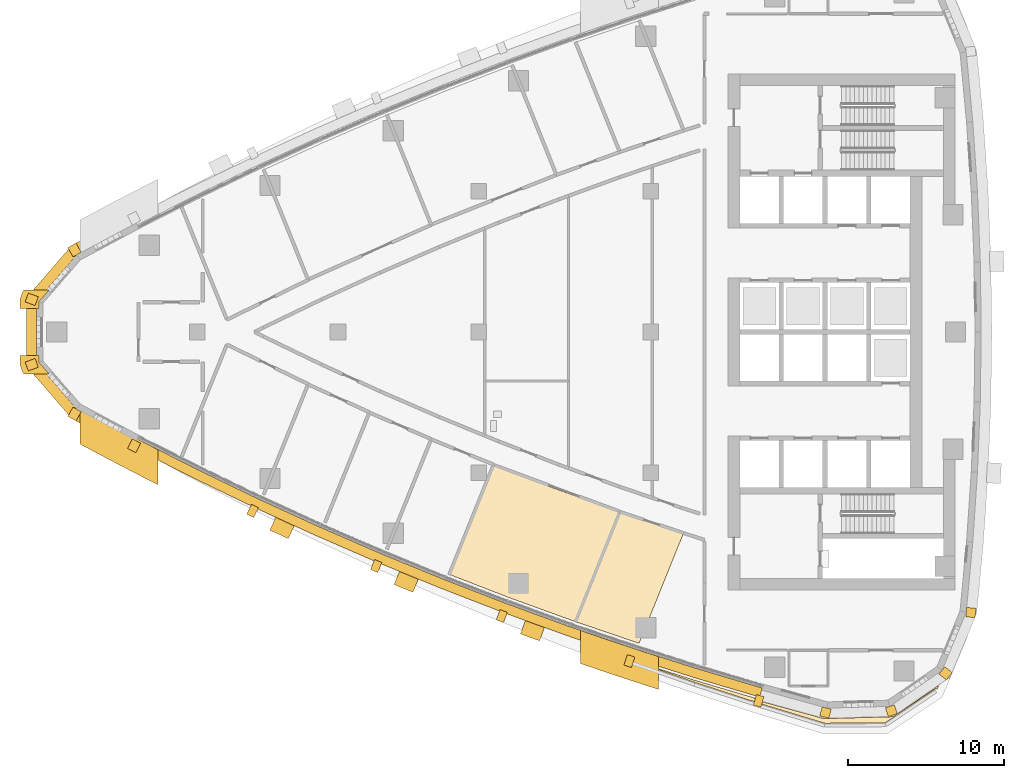
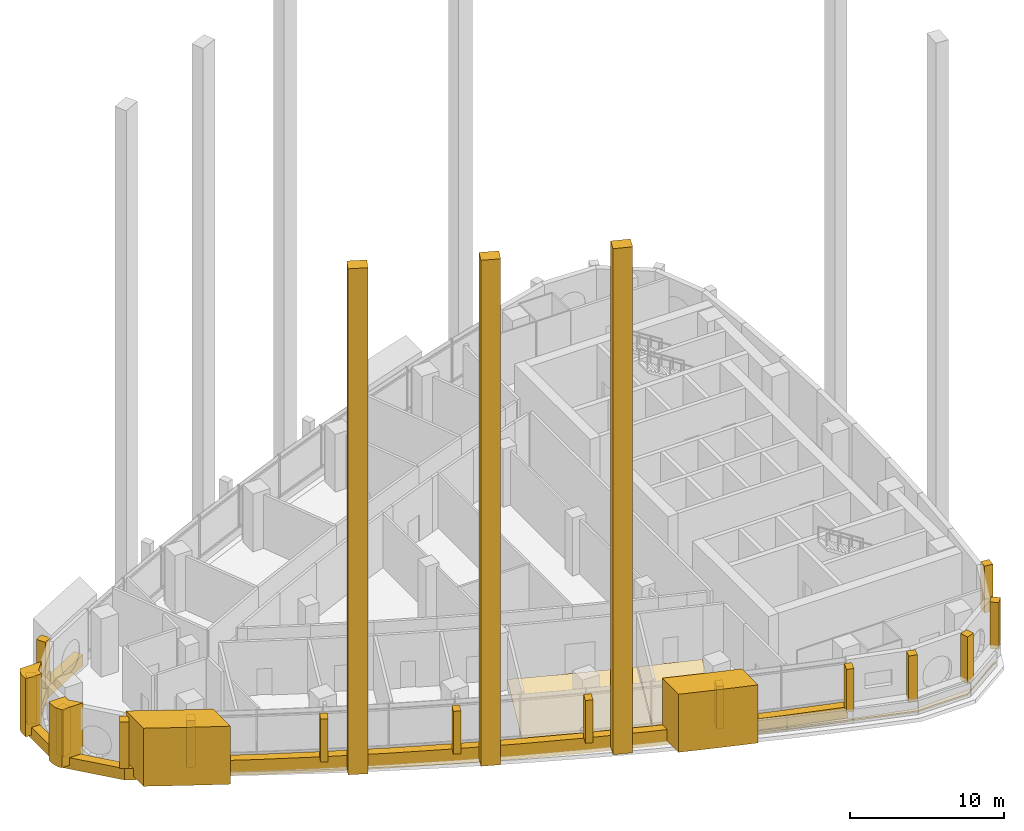
# One storey, part 13 of 19: 26 coverings.
"""IFC4 building model written with IfcOpenShell, lengths in metres."""

from ifc_helpers import new_model, si_unit, direction, frame, frame_2d, origin, place, context, subcontext, project, spatial, polyline, rectangle, outline, extrude, material, layer, layer_set, type_object, element, save


model = new_model("IFC4")

# Units and contexts
model_context = context("Model", 3, precision=1e-05, world=origin(), true_north=direction((0.0, 1.0)))
body_context = subcontext(model_context, "Body", "Model", "MODEL_VIEW")
ifc_project = project(units=[si_unit("LENGTHUNIT", "METRE"), si_unit("AREAUNIT", "SQUARE_METRE"), si_unit("VOLUMEUNIT", "CUBIC_METRE"), si_unit("PLANEANGLEUNIT", "RADIAN"), si_unit("MASSUNIT", "GRAM", prefix="KILO")], contexts=[model_context])

# Site, building, storey
site_placement = place(None, origin())
site = spatial("IfcSite", under=ifc_project, at=site_placement, CompositionType="ELEMENT")
building_placement = place(site_placement, origin())
building = spatial("IfcBuilding", under=site, at=building_placement, Name="Ostrand Prow Hotel Tower", CompositionType="ELEMENT")
storey_placement = place(building_placement, frame((0.0, 0.0, 170.89990234375)))
storey = spatial("IfcBuildingStorey", under=building, at=storey_placement, Name="L42", CompositionType="ELEMENT", Elevation=170.89990234375)

# Coverings
ifc_material_1 = material(Name="Bronze anodised aluminium cladding", Category="aluminium")
ifc_layer_1 = layer(ifc_material_1, 0.60009765625)
ifc_layer_set_1 = layer_set([ifc_layer_1], Name="Bronze anodised aluminium cladding")
covering_type_1 = type_object("IfcCoveringType", Name="Bronze prow band 899x600", PredefinedType="CLADDING", material=ifc_layer_set_1)
covering_1_placement = place(storey_placement, frame((0.0, 0.0, -0.2998046875)))
element("IfcCovering", 1, at=covering_1_placement, inside=storey, type_object=covering_type_1, Name="Bronze prow band", PredefinedType="CLADDING", context=body_context, shape_type="SweptSolid", body=[
    extrude(outline(polyline([(11.8037109375, 7.58154296875), (7.9873046875, 5.546630859375), (5.09521484375, 2.20849609375), (5.09521484375, -2.20849609375), (7.9873046875, -5.546630859375), (11.8037109375, -7.58154296875), (12.117431640625, -6.978515625), (8.3134765625, -4.949951171875), (5.732421875, -1.970703125), (5.732421875, 1.970703125), (8.3134765625, 4.949951171875), (12.117431640625, 6.978515625), (11.8037109375, 7.58154296875)])), origin(), (0.0, 0.0, 1.0), 0.89990234375),
])
ifc_material_2 = material(Name="Bronze anodised aluminium cladding", Category="aluminium")
ifc_layer_2 = layer(ifc_material_2, 0.60009765625)
ifc_layer_set_2 = layer_set([ifc_layer_2], Name="Bronze anodised aluminium cladding")
covering_type_2 = type_object("IfcCoveringType", Name="Bronze spandrel band 1200x600", PredefinedType="CLADDING", material=ifc_layer_set_2)
covering_2_placement = place(storey_placement, frame((0.0, 0.0, -0.2998046875)))
element("IfcCovering", 2, at=covering_2_placement, inside=storey, type_object=covering_type_2, Name="Spandrel band S1", PredefinedType="CLADDING", context=body_context, shape_type="SweptSolid", body=[
    extrude(outline(polyline([(11.9052734375, -7.38623046875), (15.757568359375, -9.341796875), (19.648681640625, -11.219482421875), (23.57666015625, -13.0185546875), (27.5400390625, -14.738037109375), (31.537353515625, -16.37744140625), (35.566650390625, -17.93603515625), (39.626708984375, -19.4130859375), (43.7158203125, -20.80810546875), (47.831787109375, -22.12060546875), (51.9736328125, -23.35009765625), (52.138427734375, -22.773193359375), (48.00830078125, -21.547119140625), (43.90380859375, -20.23828125), (39.826171875, -18.84716796875), (35.777587890625, -17.374267578125), (31.759521484375, -15.820068359375), (27.773193359375, -14.185302734375), (23.821044921875, -12.470458984375), (19.90380859375, -10.676513671875), (16.023681640625, -8.80419921875), (12.18212890625, -6.85400390625), (11.9052734375, -7.38623046875)])), origin(), (0.0, 0.0, 1.0), 1.199951171875),
])
ifc_material_3 = material(Name="Limestone cladding", Category="masonry")
ifc_layer_3 = layer(ifc_material_3, 5.0)
ifc_layer_set_3 = layer_set([ifc_layer_3], Name="Limestone cladding")
covering_type_3 = type_object("IfcCoveringType", Name="Portal jamb pilaster limestone", PredefinedType="CLADDING", material=ifc_layer_set_3)
covering_3_placement = place(storey_placement, origin())
element("IfcCovering", 3, at=covering_3_placement, inside=storey, type_object=covering_type_3, Name="Portal jamb SA L42", PredefinedType="CLADDING", context=body_context, shape_type="SweptSolid", body=[
    extrude(outline(polyline([(8.5, -4.89208984375), (8.5, -7.1669921875), (9.5, -7.702392578125), (10.5, -8.231201171875), (11.5, -8.75341796875), (12.5, -9.268798828125), (13.5, -9.777587890625), (13.5, -7.533935546875), (12.5, -7.01904296875), (11.5, -6.497314453125), (10.5, -5.968994140625), (9.5, -5.43408203125), (8.5, -4.89208984375)])), origin(), (0.0, 0.0, 1.0), 4.60009765625),
])
covering_4_placement = place(storey_placement, origin())
element("IfcCovering", 4, at=covering_4_placement, inside=storey, type_object=covering_type_3, Name="Portal jamb SB L42", PredefinedType="CLADDING", context=body_context, shape_type="SweptSolid", body=[
    extrude(outline(polyline([(40.5, -19.08349609375), (40.5, -21.200439453125), (41.5, -21.542724609375), (42.5, -21.879638671875), (43.5, -22.211181640625), (44.5, -22.537109375), (45.5, -22.85791015625), (45.5, -20.75830078125), (44.5, -20.43408203125), (43.5, -20.104736328125), (42.5, -19.769775390625), (41.5, -19.429443359375), (40.5, -19.08349609375)])), origin(), (0.0, 0.0, 1.0), 4.60009765625),
])
ifc_material_4 = material(Name="Limestone cladding", Category="masonry")
ifc_layer_4 = layer(ifc_material_4, 1.300048828125)
ifc_layer_set_4 = layer_set([ifc_layer_4], Name="Limestone cladding")
covering_type_4 = type_object("IfcCoveringType", Name="Precast stone fin 1300x1500", PredefinedType="CLADDING", material=ifc_layer_set_4)
covering_5_placement = place(storey_placement, frame((21.608154296875, -12.12890625, 0.0), z_axis=(0.0, 0.0, 1.0), x_axis=(-0.416355816341, -0.909201756597, 0.0)))
element("IfcCovering", 5, at=covering_5_placement, inside=storey, type_object=covering_type_4, Name="Stone fin S zone 4 3", PredefinedType="CLADDING", context=body_context, shape_type="SweptSolid", body=[
    extrude(rectangle(XDim=0.900146484375, YDim=1.300048828125, at=frame_2d((0.4501953125, 0.0))), origin(), (0.0, 0.0, 1.0), 40.10009765625),
])
covering_6_placement = place(storey_placement, frame((29.534423828125, -15.56787109375, 0.0), z_axis=(0.0, 0.0, 1.0), x_axis=(-0.37933005204, -0.925261428797, 0.0)))
element("IfcCovering", 6, at=covering_6_placement, inside=storey, type_object=covering_type_4, Name="Stone fin S zone 4 5", PredefinedType="CLADDING", context=body_context, shape_type="SweptSolid", body=[
    extrude(rectangle(XDim=0.899658203125, YDim=1.300048828125, at=frame_2d((0.44970703125, 0.0))), origin(), (0.0, 0.0, 1.0), 40.10009765625),
])
covering_7_placement = place(storey_placement, frame((37.593017578125, -18.684814453125, 0.0), z_axis=(0.0, 0.0, 1.0), x_axis=(-0.341830192475, -0.939761735502, 0.0)))
element("IfcCovering", 7, at=covering_7_placement, inside=storey, type_object=covering_type_4, Name="Stone fin S zone 4 7", PredefinedType="CLADDING", context=body_context, shape_type="SweptSolid", body=[
    extrude(rectangle(XDim=0.89990234375, YDim=1.300048828125, at=frame_2d((0.449951171875, 0.0))), origin(), (0.0, 0.0, 1.0), 40.10009765625),
])
ifc_material_5 = material(Name="Limestone cladding", Category="masonry")
ifc_layer_5 = layer(ifc_material_5, 0.5)
ifc_layer_set_5 = layer_set([ifc_layer_5], Name="Limestone cladding")
covering_type_5 = type_object("IfcCoveringType", Name="Precast stone fin 500x600", PredefinedType="CLADDING", material=ifc_layer_set_5)
for number, where, z_axis, x_axis, name in (
    (8, (19.691162109375, -11.129150390625, 0.900146484375), (0.0, 0.0, 1.0), (-0.425595424807, -0.904913550779, 0.0), "Stone fin S 3"),
    (9, (27.578857421875, -14.64599609375, 0.900146484375), (0.0, 0.0, 1.0), (-0.388524706088, -0.92143830654, 0.0), "Stone fin S 5"),
):
    element("IfcCovering", number, at=place(storey_placement, frame(where, z_axis=z_axis, x_axis=x_axis)), inside=storey, type_object=covering_type_5, Name=name, PredefinedType="CLADDING", context=body_context, shape_type="SweptSolid", body=[
        extrude(rectangle(XDim=0.699951171875, YDim=0.5, at=frame_2d((0.35009765625, 0.0))), origin(), (0.0, 0.0, 1.0), 3.39990234375),
    ])
for number, where, z_axis, x_axis, name in (
    (10, (35.601806640625, -17.84228515625, 0.900146484375), (0.0, 0.0, 1.0), (-0.351161657254, -0.936314845805, 0.0), "Stone fin S 7"),
    (11, (43.7470703125, -20.713134765625, 0.900146484375), (0.0, 0.0, 1.0), (-0.313506388498, -0.949586091079, 0.0), "Stone fin S 9"),
    (12, (52.001220703125, -23.25390625, 0.900146484375), (0.0, 0.0, 1.0), (-0.275135611865, -0.96140542701, 0.0), "Stone fin S 11"),
):
    element("IfcCovering", number, at=place(storey_placement, frame(where, z_axis=z_axis, x_axis=x_axis)), inside=storey, type_object=covering_type_5, Name=name, PredefinedType="CLADDING", context=body_context, shape_type="SweptSolid", body=[
        extrude(rectangle(XDim=0.7001953125, YDim=0.5, at=frame_2d((0.35009765625, 0.0))), origin(), (0.0, 0.0, 1.0), 3.39990234375),
    ])
ifc_material_6 = material(Name="Limestone cladding", Category="masonry")
ifc_layer_6 = layer(ifc_material_6, 0.60009765625)
ifc_layer_set_6 = layer_set([ifc_layer_6], Name="Limestone cladding")
covering_type_6 = type_object("IfcCoveringType", Name="Precast stone prow rib 600x600", PredefinedType="CLADDING", material=ifc_layer_set_6)
covering_8_placement = place(storey_placement, frame((8.3134765625, 4.949951171875, 0.60009765625), z_axis=(0.0, 0.0, 1.0), x_axis=(-0.479656876283, 0.877456141943, 0.0)))
element("IfcCovering", 13, at=covering_8_placement, inside=storey, type_object=covering_type_6, Name="Stone prow rib 2", PredefinedType="CLADDING", context=body_context, shape_type="SweptSolid", body=[
    extrude(rectangle(XDim=0.679931640625, YDim=0.60009765625, at=frame_2d((0.33984375, 0.0))), origin(), (0.0, 0.0, 1.0), 3.699951171875),
])
for number, where, z_axis, x_axis, name in (
    (14, (5.732421875, 1.970703125, 0.60009765625), (0.0, 0.0, 1.0), (-0.93688855374, 0.349628142277, 0.0), "Stone prow rib 3"),
    (15, (5.732421875, -1.970703125, 0.60009765625), (0.0, 0.0, 1.0), (-0.93688855374, -0.349628142277, 0.0), "Stone prow rib 4"),
):
    element("IfcCovering", number, at=place(storey_placement, frame(where, z_axis=z_axis, x_axis=x_axis)), inside=storey, type_object=covering_type_6, Name=name, PredefinedType="CLADDING", context=body_context, shape_type="SweptSolid", body=[
        extrude(rectangle(XDim=0.68017578125, YDim=0.60009765625, at=frame_2d((0.340087890625, 0.0))), origin(), (0.0, 0.0, 1.0), 3.699951171875),
    ])
covering_9_placement = place(storey_placement, frame((8.3134765625, -4.949951171875, 0.60009765625), z_axis=(0.0, 0.0, 1.0), x_axis=(-0.479656876283, -0.877456141943, 0.0)))
element("IfcCovering", 16, at=covering_9_placement, inside=storey, type_object=covering_type_6, Name="Stone prow rib 5", PredefinedType="CLADDING", context=body_context, shape_type="SweptSolid", body=[
    extrude(rectangle(XDim=0.679931640625, YDim=0.60009765625, at=frame_2d((0.33984375, 0.0))), origin(), (0.0, 0.0, 1.0), 3.699951171875),
])
covering_10_placement = place(storey_placement, frame((12.117431640625, -6.978515625, 0.60009765625), z_axis=(0.0, 0.0, 1.0), x_axis=(-0.461522357319, -0.887128577882, 0.0)))
element("IfcCovering", 17, at=covering_10_placement, inside=storey, type_object=covering_type_6, Name="Stone prow rib 6", PredefinedType="CLADDING", context=body_context, shape_type="SweptSolid", body=[
    extrude(rectangle(XDim=0.6796875, YDim=0.60009765625, at=frame_2d((0.33984375, 0.0))), origin(), (0.0, 0.0, 1.0), 3.699951171875),
])
for number, where, z_axis, x_axis, name in (
    (18, (56.256591796875, -24.05126953125, 0.60009765625), (0.0, 0.0, 1.0), (-0.255154261231, -0.966900358349, 0.0), "Stone corner rib 2a"),
    (19, (60.297607421875, -23.935302734375, 0.60009765625), (0.0, 0.0, 1.0), (0.310484329644, -0.950578498098, 0.0), "Stone corner rib 3a"),
    (20, (63.6279296875, -21.643798828125, 0.60009765625), (0.0, 0.0, 1.0), (0.776922530767, -0.62959620487, 0.0), "Stone corner rib 4a"),
    (21, (65.18017578125, -17.9111328125, 0.60009765625), (0.0, 0.0, 1.0), (0.994255138911, -0.107036062846, 0.0), "Stone corner rib 4b"),
):
    element("IfcCovering", number, at=place(storey_placement, frame(where, z_axis=z_axis, x_axis=x_axis)), inside=storey, type_object=covering_type_6, Name=name, PredefinedType="CLADDING", context=body_context, shape_type="SweptSolid", body=[
        extrude(rectangle(XDim=0.599853515625, YDim=0.60009765625, at=frame_2d((0.2998046875, 0.0))), origin(), (0.0, 0.0, 1.0), 3.699951171875),
    ])
ifc_material_7 = material(Name="Limestone cladding", Category="masonry")
ifc_layer_7 = layer(ifc_material_7, 3.0)
ifc_layer_set_7 = layer_set([ifc_layer_7], Name="Limestone cladding")
covering_type_7 = type_object("IfcCoveringType", Name="Prow nose pier limestone", PredefinedType="CLADDING", material=ifc_layer_set_7)
covering_11_placement = place(storey_placement, origin())
element("IfcCovering", 22, at=covering_11_placement, inside=storey, type_object=covering_type_7, Name="Prow spine fin N L42", PredefinedType="CLADDING", context=body_context, shape_type="SweptSolid", body=[
    extrude(outline(polyline([(4.663818359375, 1.921875), (4.663818359375, 1.5), (5.864013671875, 1.5), (5.864013671875, 1.921875), (6.5380859375, 2.699951171875), (4.950927734375, 2.699951171875), (4.881591796875, 2.611083984375), (4.816650390625, 2.507568359375), (4.762451171875, 2.39794921875), (4.719482421875, 2.283203125), (4.688720703125, 2.164794921875), (4.670166015625, 2.0439453125), (4.663818359375, 1.921875)])), origin(), (0.0, 0.0, 1.0), 4.60009765625),
])
covering_12_placement = place(storey_placement, origin())
element("IfcCovering", 23, at=covering_12_placement, inside=storey, type_object=covering_type_7, Name="Prow spine fin S L42", PredefinedType="CLADDING", context=body_context, shape_type="SweptSolid", body=[
    extrude(outline(polyline([(4.881591796875, -2.611083984375), (4.950927734375, -2.699951171875), (6.5380859375, -2.699951171875), (5.864013671875, -1.921875), (5.864013671875, -1.5), (4.663818359375, -1.5), (4.663818359375, -1.921875), (4.670166015625, -2.0439453125), (4.688720703125, -2.164794921875), (4.719482421875, -2.283203125), (4.762451171875, -2.39794921875), (4.816650390625, -2.507568359375), (4.881591796875, -2.611083984375)])), origin(), (0.0, 0.0, 1.0), 4.60009765625),
])
ifc_material_8 = material(Name="Bituminous membrane, insulation and stone ballast", Category="masonry")
ifc_layer_8 = layer(ifc_material_8, 0.1201171875)
ifc_layer_set_8 = layer_set([ifc_layer_8], Name="Bituminous membrane, insulation and stone ballast")
covering_type_8 = type_object("IfcCoveringType", Name="Roof build-up membrane, insulation and stone ballast 120 mm", PredefinedType="ROOFING", material=ifc_layer_set_8)
covering_13_placement = place(storey_placement, origin())
element("IfcCovering", 24, at=covering_13_placement, inside=storey, type_object=covering_type_8, Name="Roof build-up Ledge roof slab L42.1 1", PredefinedType="ROOFING", context=body_context, shape_type="SweptSolid", body=[
    extrude(outline(polyline([(47.787353515625, -22.264892578125), (45.52001953125, -21.5419921875), (45.52001953125, -21.608642578125), (47.847900390625, -22.418212890625), (52.010986328125, -23.772705078125), (56.143310546875, -25.02587890625), (59.986328125, -24.99560546875), (63.160400390625, -22.859619140625), (63.173095703125, -22.85205078125), (63.186279296875, -22.845703125), (63.2001953125, -22.8408203125), (63.214599609375, -22.837158203125), (63.22900390625, -22.8349609375), (63.24365234375, -22.833984375), (63.25830078125, -22.834716796875), (63.27294921875, -22.8369140625), (63.287353515625, -22.84033203125), (63.301025390625, -22.84521484375), (63.314453125, -22.8515625), (63.319580078125, -22.8544921875), (63.426025390625, -22.5986328125), (60.52001953125, -24.59814453125), (60.518310546875, -24.59912109375), (60.5166015625, -24.60009765625), (60.514892578125, -24.6005859375), (60.51318359375, -24.601318359375), (60.51123046875, -24.6015625), (60.50927734375, -24.601806640625), (56.08349609375, -24.728759765625), (56.08154296875, -24.728759765625), (56.07958984375, -24.728515625), (56.07763671875, -24.72802734375), (51.90771484375, -23.5810546875), (51.906005859375, -23.58056640625), (51.904052734375, -23.57958984375), (51.90234375, -23.57861328125), (51.90087890625, -23.57763671875), (51.8994140625, -23.576416015625), (51.89794921875, -23.57470703125), (51.896728515625, -23.5732421875), (51.895751953125, -23.571533203125), (51.894775390625, -23.56982421875), (51.89404296875, -23.568115234375), (51.8935546875, -23.566162109375), (51.893310546875, -23.564208984375), (51.89306640625, -23.562255859375), (51.893310546875, -23.560302734375), (51.893310546875, -23.55810546875), (51.893798828125, -23.556396484375), (51.912841796875, -23.489501953125), (47.787353515625, -22.264892578125)])), origin(), (0.0, 0.0, 1.0), 0.1201171875),
])
ifc_material_9 = material(Name="Polished limestone", Category="masonry")
ifc_layer_9 = layer(ifc_material_9, 0.030029296875)
ifc_layer_set_9 = layer_set([ifc_layer_9], Name="Polished limestone")
covering_type_9 = type_object("IfcCoveringType", Name="Stone floor finish 30 mm", PredefinedType="FLOORING", material=ifc_layer_set_9)
covering_14_placement = place(storey_placement, origin())
element("IfcCovering", 25, at=covering_14_placement, inside=storey, type_object=covering_type_9, Name="Floor finish Restaurant", PredefinedType="FLOORING", context=body_context, shape_type="SweptSolid", body=[
    extrude(outline(polyline([(35.925048828125, -16.981201171875), (40.176513671875, -18.522705078125), (43.006591796875, -11.50146484375), (38.57958984375, -9.9072265625), (34.9697265625, -8.510986328125), (32.144775390625, -15.518798828125), (35.925048828125, -16.981201171875)]), holes=[polyline([(36.8798828125, -16.282958984375), (36.8564453125, -16.314697265625), (36.830078125, -16.343505859375), (36.801025390625, -16.3701171875), (36.769287109375, -16.393310546875), (36.73583984375, -16.41357421875), (36.7001953125, -16.430419921875), (36.663330078125, -16.443603515625), (36.625244140625, -16.453125), (36.58642578125, -16.458984375), (36.547119140625, -16.460693359375), (36.508056640625, -16.458984375), (36.46923828125, -16.453125), (36.43115234375, -16.443603515625), (36.39404296875, -16.430419921875), (36.358642578125, -16.41357421875), (36.324951171875, -16.393310546875), (36.29345703125, -16.3701171875), (36.264404296875, -16.343505859375), (36.238037109375, -16.314697265625), (36.214599609375, -16.282958984375), (36.1943359375, -16.24951171875), (36.177490234375, -16.2138671875), (36.164306640625, -16.177001953125), (36.15478515625, -16.138916015625), (36.149169921875, -16.10009765625), (36.147216796875, -16.060791015625), (36.149169921875, -16.021484375), (36.15478515625, -15.98291015625), (36.164306640625, -15.944580078125), (36.177490234375, -15.90771484375), (36.1943359375, -15.872314453125), (36.214599609375, -15.838623046875), (36.238037109375, -15.806884765625), (36.264404296875, -15.778076171875), (36.29345703125, -15.751708984375), (36.324951171875, -15.728271484375), (36.358642578125, -15.7080078125), (36.39404296875, -15.691162109375), (36.43115234375, -15.677978515625), (36.46923828125, -15.66845703125), (36.508056640625, -15.66259765625), (36.547119140625, -15.660888671875), (36.58642578125, -15.66259765625), (36.625244140625, -15.66845703125), (36.663330078125, -15.677978515625), (36.7001953125, -15.691162109375), (36.73583984375, -15.7080078125), (36.769287109375, -15.728271484375), (36.801025390625, -15.751708984375), (36.830078125, -15.778076171875), (36.8564453125, -15.806884765625), (36.8798828125, -15.838623046875), (36.89990234375, -15.872314453125), (36.916748046875, -15.90771484375), (36.929931640625, -15.944580078125), (36.939453125, -15.98291015625), (36.9453125, -16.021484375), (36.947265625, -16.060791015625), (36.9453125, -16.10009765625), (36.939453125, -16.138916015625), (36.929931640625, -16.177001953125), (36.916748046875, -16.2138671875), (36.89990234375, -16.24951171875), (36.8798828125, -16.282958984375)])]), origin(), (0.0, 0.0, 1.0), 0.030029296875),
])
covering_15_placement = place(storey_placement, origin())
element("IfcCovering", 26, at=covering_15_placement, inside=storey, type_object=covering_type_9, Name="Floor finish Bar", PredefinedType="FLOORING", context=body_context, shape_type="SweptSolid", body=[
    extrude(outline(polyline([(40.218994140625, -18.53759765625), (44.259765625, -19.910888671875), (44.514892578125, -19.2783203125), (44.493896484375, -19.268310546875), (44.46044921875, -19.248291015625), (44.4287109375, -19.224853515625), (44.39990234375, -19.198486328125), (44.373291015625, -19.16943359375), (44.35009765625, -19.1376953125), (44.329833984375, -19.104248046875), (44.31298828125, -19.068603515625), (44.2998046875, -19.03173828125), (44.290283203125, -18.99365234375), (44.284423828125, -18.954833984375), (44.28271484375, -18.91552734375), (44.284423828125, -18.87646484375), (44.290283203125, -18.837646484375), (44.2998046875, -18.799560546875), (44.31298828125, -18.762451171875), (44.329833984375, -18.72705078125), (44.35009765625, -18.693359375), (44.373291015625, -18.661865234375), (44.39990234375, -18.6328125), (44.4287109375, -18.6064453125), (44.46044921875, -18.5830078125), (44.493896484375, -18.562744140625), (44.529541015625, -18.5458984375), (44.56640625, -18.53271484375), (44.6044921875, -18.523193359375), (44.643310546875, -18.517578125), (44.6826171875, -18.515625), (44.7216796875, -18.517578125), (44.760498046875, -18.523193359375), (44.798583984375, -18.53271484375), (44.813232421875, -18.5380859375), (47.09423828125, -12.879638671875), (43.04931640625, -11.51611328125), (40.218994140625, -18.53759765625)])), origin(), (0.0, 0.0, 1.0), 0.030029296875),
])

save(model, "model.ifc")
